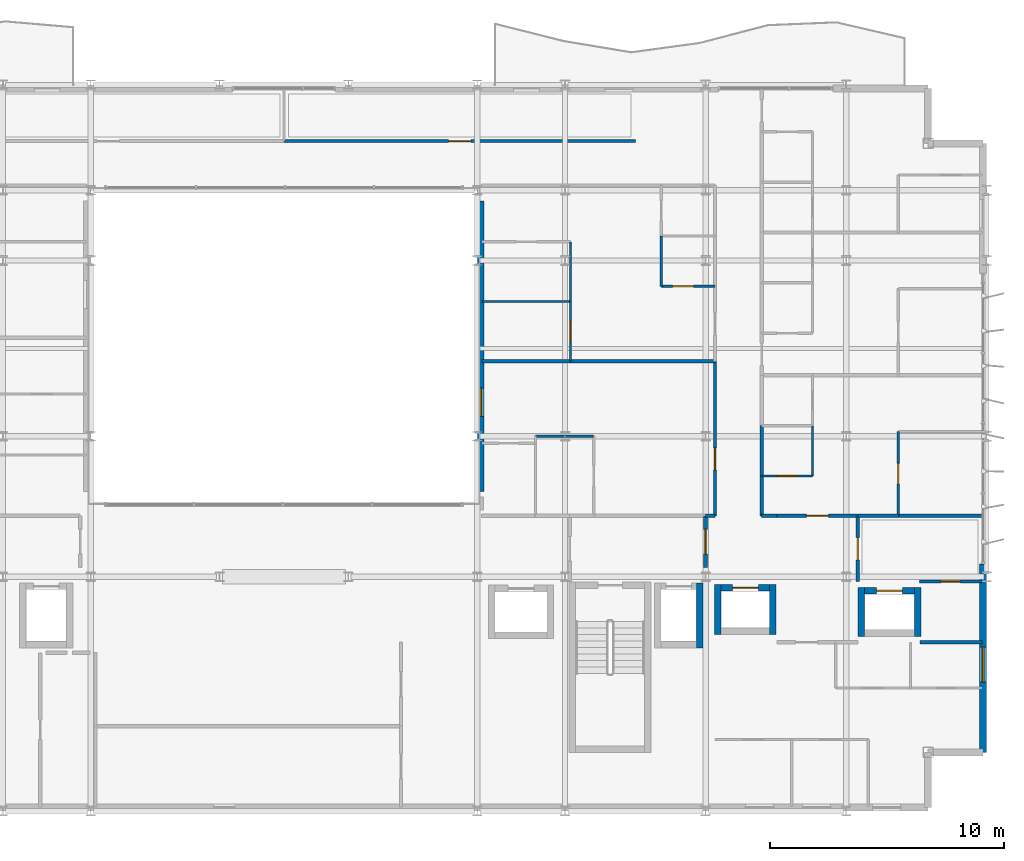
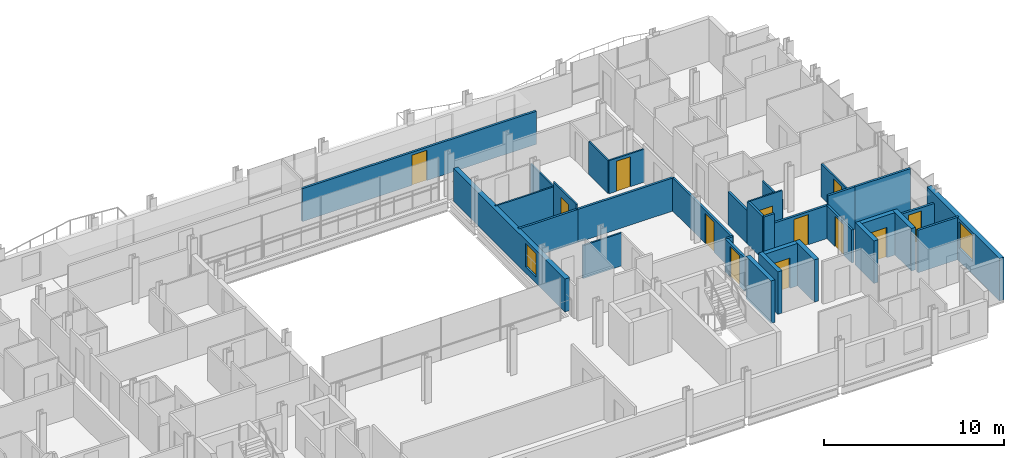
# One storey, part 31 of 39: 33 walls, 12 doors, 2 windows, 14 openings.
"""IFC4 building model written with IfcOpenShell, lengths in metres."""

from ifc_helpers import new_model, si_unit, direction, frame, frame_2d, origin, place, context, subcontext, project, spatial, rectangle, extrude, material, layer, layer_set, type_object, element, fill, save


model = new_model("IFC4")

# Units and contexts
model_context = context("Model", 3, precision=1e-05, world=origin(), true_north=direction((0.0, 1.0)))
body_context = subcontext(model_context, "Body", "Model", "MODEL_VIEW")
ifc_project = project(units=[si_unit("LENGTHUNIT", "METRE"), si_unit("AREAUNIT", "SQUARE_METRE"), si_unit("VOLUMEUNIT", "CUBIC_METRE"), si_unit("PLANEANGLEUNIT", "RADIAN"), si_unit("MASSUNIT", "GRAM", prefix="KILO")], contexts=[model_context])

# Site, building, storey
site_placement = place(None, origin())
site = spatial("IfcSite", under=ifc_project, at=site_placement, CompositionType="ELEMENT")
building_placement = place(site_placement, origin())
building = spatial("IfcBuilding", under=site, at=building_placement, Name="Brevholm Reach", CompositionType="ELEMENT")
storey_placement = place(building_placement, frame((0.0, 0.0, 103.5)))
storey = spatial("IfcBuildingStorey", under=building, at=storey_placement, Name="L30", CompositionType="ELEMENT", Elevation=103.5)

# Walls
ifc_material_1 = material(Name="Concrete C50/60", Category="concrete")
ifc_layer_1 = layer(ifc_material_1, 0.280029296875)
ifc_layer_set_1 = layer_set([ifc_layer_1], Name="Concrete C50/60")
wall_type_1 = type_object("IfcWallType", Name="WAL-COR-280", PredefinedType="SHEAR", material=ifc_layer_set_1)
wall_1_placement = place(storey_placement, frame((47.75, 6.9599609375, 0.0), z_axis=(0.0, 0.0, 1.0), x_axis=(0.0, 1.0, 0.0)))
element("IfcWall", 1, at=wall_1_placement, inside=storey, type_object=wall_type_1, Name="L30 Lift FFL-2 Shaft Wall E", PredefinedType="SHEAR", context=body_context, shape_type="SweptSolid", body=[
    extrude(rectangle(XDim=2.780029296875, YDim=0.280029296875, at=frame_2d((1.39013671875, 0.0))), origin(), (0.0, 0.0, 1.0), 2.8798828125),
])
for number, where, z_axis, x_axis, name in (
    (2, (48.52490234375, 7.534912109375, 0.0), (0.0, 0.0, 1.0), (0.0, 1.0, 0.0), "L30 Lift PL-L1 Shaft Wall W"),
    (3, (50.875, 7.534912109375, 0.0), (0.0, 0.0, 1.0), (0.0, 1.0, 0.0), "L30 Lift PL-L1 Shaft Wall E"),
):
    element("IfcWall", number, at=place(storey_placement, frame(where, z_axis=z_axis, x_axis=x_axis)), inside=storey, type_object=wall_type_1, Name=name, PredefinedType="SHEAR", context=body_context, shape_type="SweptSolid", body=[
        extrude(rectangle(XDim=2.130126953125, YDim=0.280029296875, at=frame_2d((1.06494140625, 0.0))), origin(), (0.0, 0.0, 1.0), 2.8798828125),
    ])

# Wall, opening, door
wall_2_placement = place(storey_placement, frame((48.6650390625, 9.52490234375, 0.0), z_axis=(0.0, 0.0, 1.0), x_axis=(1.0, 0.0, 0.0)))
wall_2 = element("IfcWall", 4, at=wall_2_placement, inside=storey, type_object=wall_type_1, Name="L30 Lift PL-L1 Shaft Wall N", PredefinedType="SHEAR", context=body_context, shape_type="SweptSolid", body=[
    extrude(rectangle(XDim=2.070068359375, YDim=0.280029296875, at=frame_2d((1.03515625, 0.0))), origin(), (0.0, 0.0, 1.0), 2.8798828125),
])
opening_1_placement = place(wall_2_placement, frame((0.485107421875, 0.0, 0.0)))
opening_1 = element("IfcOpeningElement", 5, at=opening_1_placement, cuts=wall_2, Name="Opening LD-PL-L1", PredefinedType="OPENING", context=body_context, shape_type="SweptSolid", body=[
    extrude(rectangle(XDim=1.10009765625, YDim=2.06005859375, at=frame_2d((0.550048828125, 1.030029296875))), frame((0.0, 0.14990234375, 0.0), z_axis=(0.0, -1.0, 0.0), x_axis=(1.0, 0.0, 0.0)), (0.0, 0.0, 1.0), 0.300048828125),
])
ifc_material_2 = material(Name="Brushed Stainless Steel Fire-Rated Sliding Lift Door", Category="steel")
door_type_1 = type_object("IfcDoorType", Name="DOR-LFT-1100", OperationType="NOTDEFINED", PredefinedType="DOOR", material=ifc_material_2)
door_1_placement = place(opening_1_placement, origin())
door_1 = element("IfcDoor", 6, at=door_1_placement, inside=storey, type_object=door_type_1, Name="L30 Lift PL-L1 Sliding Landing Door", OperationType="SLIDING_TO_RIGHT", OverallHeight=2.06005859375, OverallWidth=1.10009765625, PredefinedType="DOOR", context=body_context, shape_type="SweptSolid", body=[
    extrude(rectangle(XDim=1.10009765625, YDim=2.06005859375, at=frame_2d((0.550048828125, 1.030029296875))), frame((0.0, 0.02490234375, 0.0), z_axis=(0.0, -1.0, 0.0), x_axis=(1.0, 0.0, 0.0)), (0.0, 0.0, 1.0), 0.050048828125),
])
fill(opening_1, door_1)

# Walls
for number, where, z_axis, x_axis, name in (
    (7, (54.64990234375, 7.4599609375, 0.0), (0.0, 0.0, 1.0), (0.0, 1.0, 0.0), "L30 Lift PL-L2 Shaft Wall W"),
    (8, (57.050048828125, 7.4599609375, 0.0), (0.0, 0.0, 1.0), (0.0, 1.0, 0.0), "L30 Lift PL-L2 Shaft Wall E"),
):
    element("IfcWall", number, at=place(storey_placement, frame(where, z_axis=z_axis, x_axis=x_axis)), inside=storey, type_object=wall_type_1, Name=name, PredefinedType="SHEAR", context=body_context, shape_type="SweptSolid", body=[
        extrude(rectangle(XDim=2.080078125, YDim=0.280029296875, at=frame_2d((1.0400390625, 0.0))), origin(), (0.0, 0.0, 1.0), 2.8798828125),
    ])

# Wall, opening, door
wall_3_placement = place(storey_placement, frame((54.7900390625, 9.39990234375, 0.0), z_axis=(0.0, 0.0, 1.0), x_axis=(1.0, 0.0, 0.0)))
wall_3 = element("IfcWall", 9, at=wall_3_placement, inside=storey, type_object=wall_type_1, Name="L30 Lift PL-L2 Shaft Wall N", PredefinedType="SHEAR", context=body_context, shape_type="SweptSolid", body=[
    extrude(rectangle(XDim=2.119873046875, YDim=0.280029296875, at=frame_2d((1.06005859375, 0.0))), origin(), (0.0, 0.0, 1.0), 2.8798828125),
])
opening_2_placement = place(wall_3_placement, frame((0.510009765625, 0.0, 0.0)))
opening_2 = element("IfcOpeningElement", 10, at=opening_2_placement, cuts=wall_3, Name="Opening LD-PL-L2", PredefinedType="OPENING", context=body_context, shape_type="SweptSolid", body=[
    extrude(rectangle(XDim=1.10009765625, YDim=2.06005859375, at=frame_2d((0.550048828125, 1.030029296875))), frame((0.0, 0.14990234375, 0.0), z_axis=(0.0, -1.0, 0.0), x_axis=(1.0, 0.0, 0.0)), (0.0, 0.0, 1.0), 0.300048828125),
])
door_2_placement = place(opening_2_placement, origin())
door_2 = element("IfcDoor", 11, at=door_2_placement, inside=storey, type_object=door_type_1, Name="L30 Lift PL-L2 Sliding Landing Door", OperationType="SLIDING_TO_LEFT", OverallHeight=2.06005859375, OverallWidth=1.10009765625, PredefinedType="DOOR", context=body_context, shape_type="SweptSolid", body=[
    extrude(rectangle(XDim=1.10009765625, YDim=2.06005859375, at=frame_2d((0.550048828125, 1.030029296875))), frame((0.0, 0.02490234375, 0.0), z_axis=(0.0, -1.0, 0.0), x_axis=(1.0, 0.0, 0.0)), (0.0, 0.0, 1.0), 0.050048828125),
])
fill(opening_2, door_2)

# Wall, opening, window
ifc_material_3 = material(Name="Concrete C40/50", Category="concrete")
ifc_layer_2 = layer(ifc_material_3, 0.300048828125)
ifc_layer_set_2 = layer_set([ifc_layer_2], Name="Concrete C40/50")
wall_type_2 = type_object("IfcWallType", Name="WAL-EXT-300", PredefinedType="STANDARD", material=ifc_layer_set_2)
wall_4_placement = place(storey_placement, frame((59.85009765625, 2.5, 0.0), z_axis=(0.0, 0.0, 1.0), x_axis=(0.0, 1.0, 0.0)))
wall_4 = element("IfcWall", 12, at=wall_4_placement, inside=storey, type_object=wall_type_2, Name="L30 Facade Wall WAL-L30-E-S", PredefinedType="STANDARD", context=body_context, shape_type="SweptSolid", body=[
    extrude(rectangle(XDim=8.050048828125, YDim=0.300048828125, at=frame_2d((4.02490234375, 0.0))), origin(), (0.0, 0.0, 1.0), 2.8798828125),
])
opening_3_placement = place(wall_4_placement, frame((3.0, 0.0, 0.860107421875)))
opening_3 = element("IfcOpeningElement", 13, at=opening_3_placement, cuts=wall_4, Name="Opening WN-05", PredefinedType="OPENING", context=body_context, shape_type="SweptSolid", body=[
    extrude(rectangle(XDim=1.5, YDim=1.800048828125, at=frame_2d((0.75, 0.89990234375))), frame((0.0, 0.159912109375, 0.0), z_axis=(0.0, -1.0, 0.0), x_axis=(1.0, 0.0, 0.0)), (0.0, 0.0, 1.0), 0.320068359375),
])
ifc_material_4 = material(Name="Dark Anodised Aluminium and Solar-Control IGU Glass", Category="aluminium")
window_type_1 = type_object("IfcWindowType", Name="WIN-RES-1500", PartitioningType="SINGLE_PANEL", PredefinedType="WINDOW", material=ifc_material_4)
window_1_placement = place(opening_3_placement, origin())
window_1 = element("IfcWindow", 14, at=window_1_placement, inside=storey, type_object=window_type_1, Name="L30 Window WIN-L30-ES-1", OverallHeight=1.800048828125, OverallWidth=1.5, PartitioningType="SINGLE_PANEL", PredefinedType="WINDOW", context=body_context, shape_type="SweptSolid", body=[
    extrude(rectangle(XDim=1.5, YDim=1.800048828125, at=frame_2d((0.75, 0.89990234375))), frame((0.0, 0.030029296875, 0.0), z_axis=(0.0, -1.0, 0.0), x_axis=(1.0, 0.0, 0.0)), (0.0, 0.0, 1.0), 0.06005859375),
])
fill(opening_3, window_1)

wall_5_placement = place(storey_placement, frame((38.39990234375, 13.64990234375, 0.0), z_axis=(0.0, 0.0, 1.0), x_axis=(0.0, 1.0, 0.0)))
wall_5 = element("IfcWall", 15, at=wall_5_placement, inside=storey, type_object=wall_type_2, Name="L30 Facade Wall WAL-L30-AT-E", PredefinedType="STANDARD", context=body_context, shape_type="SweptSolid", body=[
    extrude(rectangle(XDim=12.400146484375, YDim=0.300048828125, at=frame_2d((6.2001953125, 0.0))), origin(), (0.0, 0.0, 1.0), 2.242919921875),
])
opening_4_placement = place(wall_5_placement, frame((3.199951171875, 0.0, 0.423095703125)))
opening_4 = element("IfcOpeningElement", 16, at=opening_4_placement, cuts=wall_5, Name="Opening WN-08", PredefinedType="OPENING", context=body_context, shape_type="SweptSolid", body=[
    extrude(rectangle(XDim=1.199951171875, YDim=1.60009765625, at=frame_2d((0.60009765625, 0.800048828125))), frame((0.0, 0.159912109375, 0.0), z_axis=(0.0, -1.0, 0.0), x_axis=(1.0, 0.0, 0.0)), (0.0, 0.0, 1.0), 0.320068359375),
])
ifc_material_5 = material(Name="Dark Anodised Aluminium and Solar-Control IGU Glass", Category="aluminium")
window_type_2 = type_object("IfcWindowType", Name="WIN-RES-1200", PartitioningType="SINGLE_PANEL", PredefinedType="WINDOW", material=ifc_material_5)
window_2_placement = place(opening_4_placement, origin())
window_2 = element("IfcWindow", 17, at=window_2_placement, inside=storey, type_object=window_type_2, Name="L30 Window WIN-L30-AT-E1", OverallHeight=1.60009765625, OverallWidth=1.199951171875, PartitioningType="SINGLE_PANEL", PredefinedType="WINDOW", context=body_context, shape_type="SweptSolid", body=[
    extrude(rectangle(XDim=1.199951171875, YDim=1.60009765625, at=frame_2d((0.60009765625, 0.800048828125))), frame((0.0, 0.030029296875, 0.0), z_axis=(0.0, -1.0, 0.0), x_axis=(1.0, 0.0, 0.0)), (0.0, 0.0, 1.0), 0.06005859375),
])
fill(opening_4, window_2)

# Wall
ifc_material_6 = material(Name="Moisture-Resistant Acoustic Gypsum Stud Partition 100 mm", Category="gypsum")
ifc_layer_3 = layer(ifc_material_6, 0.10009765625)
ifc_layer_set_3 = layer_set([ifc_layer_3], Name="Moisture-Resistant Acoustic Gypsum Stud Partition 100 mm")
wall_type_3 = type_object("IfcWallType", Name="WAL-PRT-100", PredefinedType="PARTITIONING", material=ifc_layer_set_3)
wall_6_placement = place(storey_placement, frame((40.738037109375, 16.0, 0.0), z_axis=(0.0, 0.0, 1.0), x_axis=(1.0, 0.0, 0.0)))
element("IfcWall", 18, at=wall_6_placement, inside=storey, type_object=wall_type_3, Name="L30 Internal Partition 128", PredefinedType="PARTITIONING", context=body_context, shape_type="SweptSolid", body=[
    extrude(rectangle(XDim=2.487060546875, YDim=0.10009765625, at=frame_2d((1.24365234375, 0.0))), origin(), (0.0, 0.0, 1.0), 2.242919921875),
])

# Wall, opening, door
wall_7_placement = place(storey_placement, frame((46.112060546875, 22.39990234375, 0.0), z_axis=(0.0, 0.0, 1.0), x_axis=(1.0, 0.0, 0.0)))
wall_7 = element("IfcWall", 19, at=wall_7_placement, inside=storey, type_object=wall_type_3, Name="L30 Internal Partition 134", PredefinedType="PARTITIONING", context=body_context, shape_type="SweptSolid", body=[
    extrude(rectangle(XDim=2.283935546875, YDim=0.10009765625, at=frame_2d((1.14208984375, 0.0))), origin(), (0.0, 0.0, 1.0), 2.242919921875),
])
opening_5_placement = place(wall_7_placement, frame((0.48193359375, 0.0, 0.0)))
opening_5 = element("IfcOpeningElement", 20, at=opening_5_placement, cuts=wall_7, Name="Opening ID-01", PredefinedType="OPENING", context=body_context, shape_type="SweptSolid", body=[
    extrude(rectangle(XDim=0.8798828125, YDim=2.0400390625, at=frame_2d((0.43994140625, 1.02001953125))), frame((0.0, 0.06005859375, 0.0), z_axis=(0.0, -1.0, 0.0), x_axis=(1.0, 0.0, 0.0)), (0.0, 0.0, 1.0), 0.1201171875),
])
ifc_material_7 = material(Name="Lacquered Ash Solid-Core Acoustic Internal Door", Category="timber")
door_type_2 = type_object("IfcDoorType", Name="DOR-INT-880", OperationType="NOTDEFINED", PredefinedType="DOOR", material=ifc_material_7)
door_3_placement = place(opening_5_placement, origin())
door_3 = element("IfcDoor", 21, at=door_3_placement, inside=storey, type_object=door_type_2, Name="L30 Internal Door 050", OperationType="SINGLE_SWING_RIGHT", OverallHeight=2.0400390625, OverallWidth=0.8798828125, PredefinedType="DOOR", context=body_context, shape_type="SweptSolid", body=[
    extrude(rectangle(XDim=0.8798828125, YDim=2.0400390625, at=frame_2d((0.43994140625, 1.02001953125))), frame((0.0, 0.02490234375, 0.0), z_axis=(0.0, -1.0, 0.0), x_axis=(1.0, 0.0, 0.0)), (0.0, 0.0, 1.0), 0.050048828125),
])
fill(opening_5, door_3)

# Walls
wall_8_placement = place(storey_placement, frame((46.112060546875, 22.39990234375, 0.0), z_axis=(0.0, 0.0, 1.0), x_axis=(0.0, 1.0, 0.0)))
element("IfcWall", 22, at=wall_8_placement, inside=storey, type_object=wall_type_3, Name="L30 Internal Partition 135", PredefinedType="PARTITIONING", context=body_context, shape_type="SweptSolid", body=[
    extrude(rectangle(XDim=2.14599609375, YDim=0.10009765625, at=frame_2d((1.072998046875, 0.0))), origin(), (0.0, 0.0, 1.0), 2.242919921875),
])
wall_9_placement = place(storey_placement, frame((38.449951171875, 21.75, 0.0), z_axis=(0.0, 0.0, 1.0), x_axis=(1.0, 0.0, 0.0)))
element("IfcWall", 23, at=wall_9_placement, inside=storey, type_object=wall_type_3, Name="L30 Internal Partition 136", PredefinedType="PARTITIONING", context=body_context, shape_type="SweptSolid", body=[
    extrude(rectangle(XDim=3.781005859375, YDim=0.10009765625, at=frame_2d((1.890625, 0.0))), origin(), (0.0, 0.0, 1.0), 2.242919921875),
])

# Wall, opening, door
wall_10_placement = place(storey_placement, frame((42.23095703125, 19.2041015625, 0.0), z_axis=(0.0, 0.0, 1.0), x_axis=(0.0, 1.0, 0.0)))
wall_10 = element("IfcWall", 24, at=wall_10_placement, inside=storey, type_object=wall_type_3, Name="L30 Internal Partition 137", PredefinedType="PARTITIONING", context=body_context, shape_type="SweptSolid", body=[
    extrude(rectangle(XDim=2.5458984375, YDim=0.10009765625, at=frame_2d((1.27294921875, 0.0))), origin(), (0.0, 0.0, 1.0), 2.551513671875),
])
opening_6_placement = place(wall_10_placement, frame((0.8330078125, 0.0, 0.0)))
opening_6 = element("IfcOpeningElement", 25, at=opening_6_placement, cuts=wall_10, Name="Opening ID-01", PredefinedType="OPENING", context=body_context, shape_type="SweptSolid", body=[
    extrude(rectangle(XDim=0.8798828125, YDim=2.0400390625, at=frame_2d((0.43994140625, 1.02001953125))), frame((0.0, 0.06005859375, 0.0), z_axis=(0.0, -1.0, 0.0), x_axis=(1.0, 0.0, 0.0)), (0.0, 0.0, 1.0), 0.1201171875),
])
door_4_placement = place(opening_6_placement, origin())
door_4 = element("IfcDoor", 26, at=door_4_placement, inside=storey, type_object=door_type_2, Name="L30 Internal Door 051", OperationType="SINGLE_SWING_LEFT", OverallHeight=2.0400390625, OverallWidth=0.8798828125, PredefinedType="DOOR", context=body_context, shape_type="SweptSolid", body=[
    extrude(rectangle(XDim=0.8798828125, YDim=2.0400390625, at=frame_2d((0.43994140625, 1.02001953125))), frame((0.0, 0.02490234375, 0.0), z_axis=(0.0, -1.0, 0.0), x_axis=(1.0, 0.0, 0.0)), (0.0, 0.0, 1.0), 0.050048828125),
])
fill(opening_6, door_4)

# Wall
wall_11_placement = place(storey_placement, frame((42.23095703125, 21.75390625, 0.0), z_axis=(0.0, 0.0, 1.0), x_axis=(0.0, 1.0, 0.0)))
element("IfcWall", 27, at=wall_11_placement, inside=storey, type_object=wall_type_3, Name="L30 Internal Partition 138", PredefinedType="PARTITIONING", context=body_context, shape_type="SweptSolid", body=[
    extrude(rectangle(XDim=2.546142578125, YDim=0.10009765625, at=frame_2d((1.27294921875, 0.0))), origin(), (0.0, 0.0, 1.0), 2.242919921875),
])

# Wall, opening, door
wall_12_placement = place(storey_placement, frame((50.404052734375, 14.300048828125, 0.0), z_axis=(0.0, 0.0, 1.0), x_axis=(1.0, 0.0, 0.0)))
wall_12 = element("IfcWall", 28, at=wall_12_placement, inside=storey, type_object=wall_type_3, Name="L30 Internal Partition 143", PredefinedType="PARTITIONING", context=body_context, shape_type="SweptSolid", body=[
    extrude(rectangle(XDim=2.157958984375, YDim=0.10009765625, at=frame_2d((1.0791015625, 0.0))), origin(), (0.0, 0.0, 1.0), 2.8798828125),
])
opening_7_placement = place(wall_12_placement, frame((0.638916015625, 0.0, 0.0)))
opening_7 = element("IfcOpeningElement", 29, at=opening_7_placement, cuts=wall_12, Name="Opening ID-01", PredefinedType="OPENING", context=body_context, shape_type="SweptSolid", body=[
    extrude(rectangle(XDim=0.8798828125, YDim=2.0400390625, at=frame_2d((0.43994140625, 1.02001953125))), frame((0.0, 0.06005859375, 0.0), z_axis=(0.0, -1.0, 0.0), x_axis=(1.0, 0.0, 0.0)), (0.0, 0.0, 1.0), 0.1201171875),
])
door_5_placement = place(opening_7_placement, origin())
door_5 = element("IfcDoor", 30, at=door_5_placement, inside=storey, type_object=door_type_2, Name="L30 Internal Door 054", OperationType="SINGLE_SWING_RIGHT", OverallHeight=2.0400390625, OverallWidth=0.8798828125, PredefinedType="DOOR", context=body_context, shape_type="SweptSolid", body=[
    extrude(rectangle(XDim=0.8798828125, YDim=2.0400390625, at=frame_2d((0.43994140625, 1.02001953125))), frame((0.0, 0.02490234375, 0.0), z_axis=(0.0, -1.0, 0.0), x_axis=(1.0, 0.0, 0.0)), (0.0, 0.0, 1.0), 0.050048828125),
])
fill(opening_7, door_5)

# Wall
wall_13_placement = place(storey_placement, frame((52.56201171875, 14.300048828125, 0.0), z_axis=(0.0, 0.0, 1.0), x_axis=(0.0, 1.0, 0.0)))
element("IfcWall", 31, at=wall_13_placement, inside=storey, type_object=wall_type_3, Name="L30 Internal Partition 144", PredefinedType="PARTITIONING", context=body_context, shape_type="SweptSolid", body=[
    extrude(rectangle(XDim=2.14599609375, YDim=0.10009765625, at=frame_2d((1.072998046875, 0.0))), origin(), (0.0, 0.0, 1.0), 2.242919921875),
])

# Wall, opening, door
wall_14_placement = place(storey_placement, frame((56.22802734375, 12.60400390625, 0.0), z_axis=(0.0, 0.0, 1.0), x_axis=(0.0, 1.0, 0.0)))
wall_14 = element("IfcWall", 32, at=wall_14_placement, inside=storey, type_object=wall_type_3, Name="L30 Internal Partition 146", PredefinedType="PARTITIONING", context=body_context, shape_type="SweptSolid", body=[
    extrude(rectangle(XDim=3.595947265625, YDim=0.10009765625, at=frame_2d((1.7978515625, 0.0))), origin(), (0.0, 0.0, 1.0), 2.242919921875),
])
opening_8_placement = place(wall_14_placement, frame((1.35791015625, 0.0, 0.0)))
opening_8 = element("IfcOpeningElement", 33, at=opening_8_placement, cuts=wall_14, Name="Opening ID-01", PredefinedType="OPENING", context=body_context, shape_type="SweptSolid", body=[
    extrude(rectangle(XDim=0.8798828125, YDim=2.0400390625, at=frame_2d((0.43994140625, 1.02001953125))), frame((0.0, 0.06005859375, 0.0), z_axis=(0.0, -1.0, 0.0), x_axis=(1.0, 0.0, 0.0)), (0.0, 0.0, 1.0), 0.1201171875),
])
door_6_placement = place(opening_8_placement, origin())
door_6 = element("IfcDoor", 34, at=door_6_placement, inside=storey, type_object=door_type_2, Name="L30 Internal Door 055", OperationType="SINGLE_SWING_LEFT", OverallHeight=2.0400390625, OverallWidth=0.8798828125, PredefinedType="DOOR", context=body_context, shape_type="SweptSolid", body=[
    extrude(rectangle(XDim=0.8798828125, YDim=2.0400390625, at=frame_2d((0.43994140625, 1.02001953125))), frame((0.0, 0.02490234375, 0.0), z_axis=(0.0, -1.0, 0.0), x_axis=(1.0, 0.0, 0.0)), (0.0, 0.0, 1.0), 0.050048828125),
])
fill(opening_8, door_6)

ifc_material_8 = material(Name="Twin-Stud Acoustic Fire-Rated Gypsum Partition 140 mm", Category="gypsum")
ifc_layer_4 = layer(ifc_material_8, 0.139892578125)
ifc_layer_set_4 = layer_set([ifc_layer_4], Name="Twin-Stud Acoustic Fire-Rated Gypsum Partition 140 mm")
wall_type_4 = type_object("IfcWallType", Name="WAL-PRT-140", PredefinedType="PARTITIONING", material=ifc_layer_set_4)
wall_15_placement = place(storey_placement, frame((54.5, 9.788818359375, 0.0), z_axis=(0.0, 0.0, 1.0), x_axis=(0.0, 1.0, 0.0)))
wall_15 = element("IfcWall", 35, at=wall_15_placement, inside=storey, type_object=wall_type_4, Name="L30 Internal Partition 009", PredefinedType="PARTITIONING", context=body_context, shape_type="SweptSolid", body=[
    extrude(rectangle(XDim=2.811279296875, YDim=0.139892578125, at=frame_2d((1.40576171875, 0.0))), origin(), (0.0, 0.0, 1.0), 2.242919921875),
])
opening_9_placement = place(wall_15_placement, frame((0.9306640625, 0.0, 0.0)))
opening_9 = element("IfcOpeningElement", 36, at=opening_9_placement, cuts=wall_15, Name="Opening ID-30", PredefinedType="OPENING", context=body_context, shape_type="SweptSolid", body=[
    extrude(rectangle(XDim=0.949951171875, YDim=2.050048828125, at=frame_2d((0.47509765625, 1.02490234375))), frame((0.0, 0.079833984375, 0.0), z_axis=(0.0, -1.0, 0.0), x_axis=(1.0, 0.0, 0.0)), (0.0, 0.0, 1.0), 0.159912109375),
])
ifc_material_9 = material(Name="European Oak Veneered Solid-Core Fire Entrance Door", Category="timber")
door_type_3 = type_object("IfcDoorType", Name="DOR-FLT-FD30S", OperationType="NOTDEFINED", PredefinedType="DOOR", material=ifc_material_9)
door_7_placement = place(opening_9_placement, origin())
door_7 = element("IfcDoor", 37, at=door_7_placement, inside=storey, type_object=door_type_3, Name="L30 Internal Door 005", OperationType="SINGLE_SWING_LEFT", OverallHeight=2.050048828125, OverallWidth=0.949951171875, PredefinedType="DOOR", context=body_context, shape_type="SweptSolid", body=[
    extrude(rectangle(XDim=0.949951171875, YDim=2.050048828125, at=frame_2d((0.47509765625, 1.02490234375))), frame((0.0, 0.02490234375, 0.0), z_axis=(0.0, -1.0, 0.0), x_axis=(1.0, 0.0, 0.0)), (0.0, 0.0, 1.0), 0.050048828125),
])
fill(opening_9, door_7)

wall_16_placement = place(storey_placement, frame((51.050048828125, 12.60009765625, 0.0), z_axis=(0.0, 0.0, 1.0), x_axis=(1.0, 0.0, 0.0)))
wall_16 = element("IfcWall", 38, at=wall_16_placement, inside=storey, type_object=wall_type_4, Name="L30 Internal Partition 012", PredefinedType="PARTITIONING", context=body_context, shape_type="SweptSolid", body=[
    extrude(rectangle(XDim=3.449951171875, YDim=0.139892578125, at=frame_2d((1.72509765625, 0.0))), origin(), (0.0, 0.0, 1.0), 2.242919921875),
])
opening_10_placement = place(wall_16_placement, frame((1.25, 0.0, 0.0)))
opening_10 = element("IfcOpeningElement", 39, at=opening_10_placement, cuts=wall_16, Name="Opening ID-30", PredefinedType="OPENING", context=body_context, shape_type="SweptSolid", body=[
    extrude(rectangle(XDim=0.949951171875, YDim=2.050048828125, at=frame_2d((0.47509765625, 1.02490234375))), frame((0.0, 0.079833984375, 0.0), z_axis=(0.0, -1.0, 0.0), x_axis=(1.0, 0.0, 0.0)), (0.0, 0.0, 1.0), 0.159912109375),
])
door_8_placement = place(opening_10_placement, origin())
door_8 = element("IfcDoor", 40, at=door_8_placement, inside=storey, type_object=door_type_3, Name="L30 Internal Door 007", OperationType="SINGLE_SWING_LEFT", OverallHeight=2.050048828125, OverallWidth=0.949951171875, PredefinedType="DOOR", context=body_context, shape_type="SweptSolid", body=[
    extrude(rectangle(XDim=0.949951171875, YDim=2.050048828125, at=frame_2d((0.47509765625, 1.02490234375))), frame((0.0, 0.02490234375, 0.0), z_axis=(0.0, -1.0, 0.0), x_axis=(1.0, 0.0, 0.0)), (0.0, 0.0, 1.0), 0.050048828125),
])
fill(opening_10, door_8)

# Walls
wall_17_placement = place(storey_placement, frame((48.00390625, 12.60009765625, 0.0), z_axis=(0.0, 0.0, 1.0), x_axis=(1.0, 0.0, 0.0)))
element("IfcWall", 41, at=wall_17_placement, inside=storey, type_object=wall_type_4, Name="L30 Internal Partition 029", PredefinedType="PARTITIONING", context=body_context, shape_type="SweptSolid", body=[
    extrude(rectangle(XDim=0.4033203125, YDim=0.139892578125, at=frame_2d((0.20166015625, 0.0))), origin(), (0.0, 0.0, 1.0), 2.242919921875),
])
wall_18_placement = place(storey_placement, frame((50.392578125, 12.60009765625, 0.0), z_axis=(0.0, 0.0, 1.0), x_axis=(1.0, 0.0, 0.0)))
element("IfcWall", 42, at=wall_18_placement, inside=storey, type_object=wall_type_4, Name="L30 Internal Partition 030", PredefinedType="PARTITIONING", context=body_context, shape_type="SweptSolid", body=[
    extrude(rectangle(XDim=0.6533203125, YDim=0.139892578125, at=frame_2d((0.32666015625, 0.0))), origin(), (0.0, 0.0, 1.0), 2.8798828125),
])

# Wall, opening, door
wall_19_placement = place(storey_placement, frame((48.39990234375, 12.60400390625, 0.0), z_axis=(0.0, 0.0, 1.0), x_axis=(0.0, 1.0, 0.0)))
wall_19 = element("IfcWall", 43, at=wall_19_placement, inside=storey, type_object=wall_type_4, Name="L30 Internal Partition 044", PredefinedType="PARTITIONING", context=body_context, shape_type="SweptSolid", body=[
    extrude(rectangle(XDim=6.607177734375, YDim=0.139892578125, at=frame_2d((3.3037109375, 0.0))), origin(), (0.0, 0.0, 1.0), 2.242919921875),
])
opening_11_placement = place(wall_19_placement, frame((1.94873046875, 0.0, 0.0)))
opening_11 = element("IfcOpeningElement", 44, at=opening_11_placement, cuts=wall_19, Name="Opening ID-30", PredefinedType="OPENING", context=body_context, shape_type="SweptSolid", body=[
    extrude(rectangle(XDim=0.949951171875, YDim=2.050048828125, at=frame_2d((0.47509765625, 1.02490234375))), frame((0.0, 0.079833984375, 0.0), z_axis=(0.0, -1.0, 0.0), x_axis=(1.0, 0.0, 0.0)), (0.0, 0.0, 1.0), 0.159912109375),
])
door_9_placement = place(opening_11_placement, origin())
door_9 = element("IfcDoor", 45, at=door_9_placement, inside=storey, type_object=door_type_3, Name="L30 Internal Door 019", OperationType="SINGLE_SWING_LEFT", OverallHeight=2.050048828125, OverallWidth=0.949951171875, PredefinedType="DOOR", context=body_context, shape_type="SweptSolid", body=[
    extrude(rectangle(XDim=0.949951171875, YDim=2.050048828125, at=frame_2d((0.47509765625, 1.02490234375))), frame((0.0, 0.02490234375, 0.0), z_axis=(0.0, -1.0, 0.0), x_axis=(1.0, 0.0, 0.0)), (0.0, 0.0, 1.0), 0.050048828125),
])
fill(opening_11, door_9)

# Walls
wall_20_placement = place(storey_placement, frame((50.39990234375, 14.288818359375, 0.0), z_axis=(0.0, 0.0, 1.0), x_axis=(0.0, 1.0, 0.0)))
element("IfcWall", 46, at=wall_20_placement, inside=storey, type_object=wall_type_4, Name="L30 Internal Partition 049", PredefinedType="PARTITIONING", context=body_context, shape_type="SweptSolid", body=[
    extrude(rectangle(XDim=2.16845703125, YDim=0.139892578125, at=frame_2d((1.084228515625, 0.0))), origin(), (0.0, 0.0, 1.0), 2.242919921875),
])
wall_21_placement = place(storey_placement, frame((50.39990234375, 12.60400390625, 0.0), z_axis=(0.0, 0.0, 1.0), x_axis=(0.0, 1.0, 0.0)))
element("IfcWall", 47, at=wall_21_placement, inside=storey, type_object=wall_type_4, Name="L30 Internal Partition 050", PredefinedType="PARTITIONING", context=body_context, shape_type="SweptSolid", body=[
    extrude(rectangle(XDim=1.703369140625, YDim=0.139892578125, at=frame_2d((0.8515625, 0.0))), origin(), (0.0, 0.0, 1.0), 2.8798828125),
])

# Wall, opening, door
wall_22_placement = place(storey_placement, frame((29.99267578125, 28.60009765625, 0.0), z_axis=(0.0, 0.0, 1.0), x_axis=(1.0, 0.0, 0.0)))
wall_22 = element("IfcWall", 48, at=wall_22_placement, inside=storey, type_object=wall_type_4, Name="L30 Internal Partition 062", PredefinedType="PARTITIONING", context=body_context, shape_type="SweptSolid", body=[
    extrude(rectangle(XDim=15.0185546875, YDim=0.139892578125, at=frame_2d((7.50927734375, 0.0))), origin(), (0.0, 0.0, 1.0), 2.242919921875),
])
opening_12_placement = place(wall_22_placement, frame((7.0341796875, 0.0, 0.0)))
opening_12 = element("IfcOpeningElement", 49, at=opening_12_placement, cuts=wall_22, Name="Opening ID-30", PredefinedType="OPENING", context=body_context, shape_type="SweptSolid", body=[
    extrude(rectangle(XDim=0.949951171875, YDim=2.050048828125, at=frame_2d((0.47509765625, 1.02490234375))), frame((0.0, 0.079833984375, 0.0), z_axis=(0.0, -1.0, 0.0), x_axis=(1.0, 0.0, 0.0)), (0.0, 0.0, 1.0), 0.159912109375),
])
door_10_placement = place(opening_12_placement, origin())
door_10 = element("IfcDoor", 50, at=door_10_placement, inside=storey, type_object=door_type_3, Name="L30 Internal Door 024", OperationType="SINGLE_SWING_RIGHT", OverallHeight=2.050048828125, OverallWidth=0.949951171875, PredefinedType="DOOR", context=body_context, shape_type="SweptSolid", body=[
    extrude(rectangle(XDim=0.949951171875, YDim=2.050048828125, at=frame_2d((0.47509765625, 1.02490234375))), frame((0.0, 0.02490234375, 0.0), z_axis=(0.0, -1.0, 0.0), x_axis=(1.0, 0.0, 0.0)), (0.0, 0.0, 1.0), 0.050048828125),
])
fill(opening_12, door_10)

wall_23_placement = place(storey_placement, frame((57.138671875, 9.800048828125, 0.0), z_axis=(0.0, 0.0, 1.0), x_axis=(1.0, 0.0, 0.0)))
wall_23 = element("IfcWall", 51, at=wall_23_placement, inside=storey, type_object=wall_type_4, Name="L30 Internal Partition 075", PredefinedType="PARTITIONING", context=body_context, shape_type="SweptSolid", body=[
    extrude(rectangle(XDim=2.661376953125, YDim=0.139892578125, at=frame_2d((1.33056640625, 0.0))), origin(), (0.0, 0.0, 1.0), 2.242919921875),
])
opening_13_placement = place(wall_23_placement, frame((0.920654296875, 0.0, 0.0)))
opening_13 = element("IfcOpeningElement", 52, at=opening_13_placement, cuts=wall_23, Name="Opening ID-02", PredefinedType="OPENING", context=body_context, shape_type="SweptSolid", body=[
    extrude(rectangle(XDim=0.820068359375, YDim=2.02001953125, at=frame_2d((0.41015625, 1.010009765625))), frame((0.0, 0.079833984375, 0.0), z_axis=(0.0, -1.0, 0.0), x_axis=(1.0, 0.0, 0.0)), (0.0, 0.0, 1.0), 0.159912109375),
])
ifc_material_10 = material(Name="Moisture-Resistant Painted Timber Fire-Rated Riser and Service Door", Category="wood")
door_type_4 = type_object("IfcDoorType", Name="DOR-SRV-820", OperationType="NOTDEFINED", PredefinedType="DOOR", material=ifc_material_10)
door_11_placement = place(opening_13_placement, origin())
door_11 = element("IfcDoor", 53, at=door_11_placement, inside=storey, type_object=door_type_4, Name="L30 Access Door 063", OperationType="SINGLE_SWING_LEFT", OverallHeight=2.02001953125, OverallWidth=0.820068359375, PredefinedType="DOOR", context=body_context, shape_type="SweptSolid", body=[
    extrude(rectangle(XDim=0.820068359375, YDim=2.02001953125, at=frame_2d((0.41015625, 1.010009765625))), frame((0.0, 0.02490234375, 0.0), z_axis=(0.0, -1.0, 0.0), x_axis=(1.0, 0.0, 0.0)), (0.0, 0.0, 1.0), 0.050048828125),
])
fill(opening_13, door_11)

# Walls
wall_24_placement = place(storey_placement, frame((56.216796875, 12.60009765625, 0.0), z_axis=(0.0, 0.0, 1.0), x_axis=(1.0, 0.0, 0.0)))
element("IfcWall", 54, at=wall_24_placement, inside=storey, type_object=wall_type_4, Name="L30 Internal Partition 076", PredefinedType="PARTITIONING", context=body_context, shape_type="SweptSolid", body=[
    extrude(rectangle(XDim=3.583251953125, YDim=0.139892578125, at=frame_2d((1.79150390625, 0.0))), origin(), (0.0, 0.0, 1.0), 2.8798828125),
])
wall_25_placement = place(storey_placement, frame((54.50390625, 12.60009765625, 0.0), z_axis=(0.0, 0.0, 1.0), x_axis=(1.0, 0.0, 0.0)))
element("IfcWall", 55, at=wall_25_placement, inside=storey, type_object=wall_type_4, Name="L30 Internal Partition 077", PredefinedType="PARTITIONING", context=body_context, shape_type="SweptSolid", body=[
    extrude(rectangle(XDim=1.7314453125, YDim=0.139892578125, at=frame_2d((0.86572265625, 0.0))), origin(), (0.0, 0.0, 1.0), 2.8798828125),
])
wall_26_placement = place(storey_placement, frame((57.14990234375, 7.199951171875, 0.0), z_axis=(0.0, 0.0, 1.0), x_axis=(1.0, 0.0, 0.0)))
element("IfcWall", 56, at=wall_26_placement, inside=storey, type_object=wall_type_4, Name="L30 Internal Partition 078", PredefinedType="PARTITIONING", context=body_context, shape_type="SweptSolid", body=[
    extrude(rectangle(XDim=2.650146484375, YDim=0.139892578125, at=frame_2d((1.3251953125, 0.0))), origin(), (0.0, 0.0, 1.0), 2.8798828125),
])
wall_27_placement = place(storey_placement, frame((38.449951171875, 19.199951171875, 0.0), z_axis=(0.0, 0.0, 1.0), x_axis=(1.0, 0.0, 0.0)))
element("IfcWall", 57, at=wall_27_placement, inside=storey, type_object=wall_type_4, Name="L30 Internal Partition 130", PredefinedType="PARTITIONING", context=body_context, shape_type="SweptSolid", body=[
    extrude(rectangle(XDim=3.792236328125, YDim=0.139892578125, at=frame_2d((1.89599609375, 0.0))), origin(), (0.0, 0.0, 1.0), 2.242919921875),
])
wall_28_placement = place(storey_placement, frame((42.2236328125, 19.199951171875, 0.0), z_axis=(0.0, 0.0, 1.0), x_axis=(1.0, 0.0, 0.0)))
element("IfcWall", 58, at=wall_28_placement, inside=storey, type_object=wall_type_4, Name="L30 Internal Partition 131", PredefinedType="PARTITIONING", context=body_context, shape_type="SweptSolid", body=[
    extrude(rectangle(XDim=6.17236328125, YDim=0.139892578125, at=frame_2d((3.086181640625, 0.0))), origin(), (0.0, 0.0, 1.0), 2.242919921875),
])

# Wall, opening, door
ifc_material_11 = material(Name="Twin-Frame Fire-Rated Gypsum Board and Mineral Wool 160 mm", Category="gypsum")
ifc_layer_5 = layer(ifc_material_11, 0.159912109375)
ifc_layer_set_5 = layer_set([ifc_layer_5], Name="Twin-Frame Fire-Rated Gypsum Board and Mineral Wool 160 mm")
wall_type_5 = type_object("IfcWallType", Name="WAL-PRT-160", PredefinedType="PARTITIONING", material=ifc_layer_set_5)
wall_29_placement = place(storey_placement, frame((48.0, 10.388671875, 0.0), z_axis=(0.0, 0.0, 1.0), x_axis=(0.0, 1.0, 0.0)))
wall_29 = element("IfcWall", 59, at=wall_29_placement, inside=storey, type_object=wall_type_5, Name="L30 Internal Partition 020", PredefinedType="PARTITIONING", context=body_context, shape_type="SweptSolid", body=[
    extrude(rectangle(XDim=2.21142578125, YDim=0.159912109375, at=frame_2d((1.105712890625, 0.0))), origin(), (0.0, 0.0, 1.0), 2.242919921875),
])
opening_14_placement = place(wall_29_placement, frame((0.58056640625, 0.0, 0.0)))
opening_14 = element("IfcOpeningElement", 60, at=opening_14_placement, cuts=wall_29, Name="Opening FD-01", PredefinedType="OPENING", context=body_context, shape_type="SweptSolid", body=[
    extrude(rectangle(XDim=1.050048828125, YDim=2.06005859375, at=frame_2d((0.52490234375, 1.030029296875))), frame((0.0, 0.08984375, 0.0), z_axis=(0.0, -1.0, 0.0), x_axis=(1.0, 0.0, 0.0)), (0.0, 0.0, 1.0), 0.179931640625),
])
ifc_material_12 = material(Name="Hardwood-Lipped Steel-Core Fire and Smoke Door", Category="steel")
door_type_5 = type_object("IfcDoorType", Name="DOR-INT-FD60S", OperationType="NOTDEFINED", PredefinedType="DOOR", material=ifc_material_12)
door_12_placement = place(opening_14_placement, origin())
door_12 = element("IfcDoor", 61, at=door_12_placement, inside=storey, type_object=door_type_5, Name="L30 Internal Door 011", OperationType="SINGLE_SWING_LEFT", OverallHeight=2.06005859375, OverallWidth=1.050048828125, PredefinedType="DOOR", context=body_context, shape_type="SweptSolid", body=[
    extrude(rectangle(XDim=1.050048828125, YDim=2.06005859375, at=frame_2d((0.52490234375, 1.030029296875))), frame((0.0, 0.02490234375, 0.0), z_axis=(0.0, -1.0, 0.0), x_axis=(1.0, 0.0, 0.0)), (0.0, 0.0, 1.0), 0.050048828125),
])
fill(opening_14, door_12)

save(model, "model.ifc")
